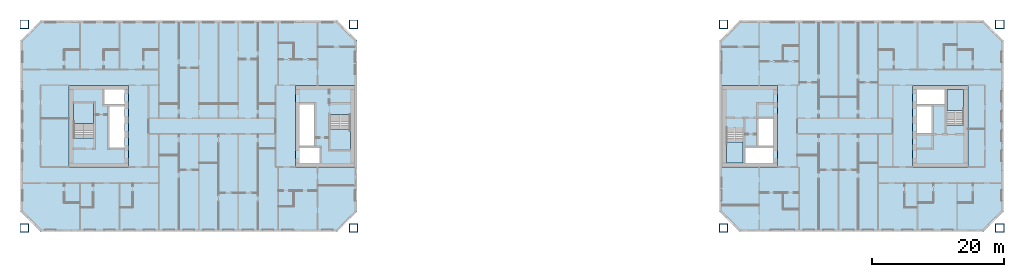
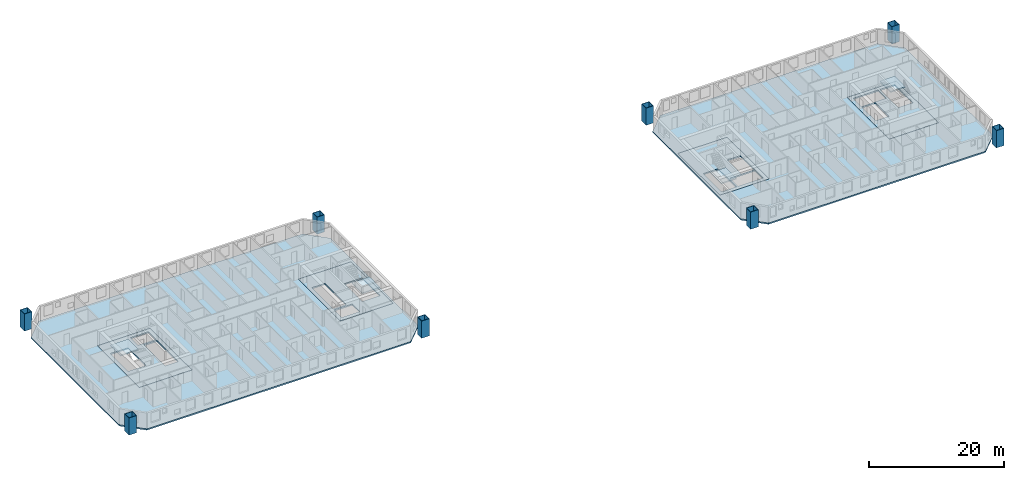
# One storey, part 1 of 17: 10 slabs, 8 columns, 4 elements without a shape of their own.
"""IFC4 building model written with IfcOpenShell, lengths in metres."""

from ifc_helpers import new_model, si_unit, direction, frame, origin, origin_2d, place, context, subcontext, project, spatial, polyline, hollow_rectangle, outline, extrude, material, layer, layer_set, material_profile, profile_set, type_object, element, aggregate, save


model = new_model("IFC4")

# Units and contexts
model_context = context("Model", 3, precision=1e-05, world=origin(), true_north=direction((0.0, 1.0)))
body_context = subcontext(model_context, "Body", "Model", "MODEL_VIEW")
ifc_project = project(units=[si_unit("LENGTHUNIT", "METRE"), si_unit("AREAUNIT", "SQUARE_METRE"), si_unit("VOLUMEUNIT", "CUBIC_METRE"), si_unit("PLANEANGLEUNIT", "RADIAN"), si_unit("MASSUNIT", "GRAM", prefix="KILO")], contexts=[model_context])

# Site, building, storey
site_placement = place(None, origin())
site = spatial("IfcSite", under=ifc_project, at=site_placement, CompositionType="ELEMENT")
building_placement = place(site_placement, origin())
building = spatial("IfcBuilding", under=site, at=building_placement, Name="Tuart Gate Housing", CompositionType="ELEMENT")
storey_placement = place(building_placement, frame((0.0, 0.0, 99.5)))
storey = spatial("IfcBuildingStorey", under=building, at=storey_placement, Name="L27", CompositionType="ELEMENT", Elevation=99.5)

# Columns
ifc_material_1 = material(Name="Steel Grade 350", Category="steel")
ifc_material_profile = material_profile(ifc_material_1, hollow_rectangle(XDim=1.300048828125, YDim=1.300048828125, WallThickness=0.070068359375, at=origin_2d()), Name="BOX 1300x1300x70")
ifc_profile_set = profile_set([ifc_material_profile], Name="Steel Grade 350")
column_type = type_object("IfcColumnType", Name="Mega column BOX 1300x1300x70", PredefinedType="COLUMN", material=ifc_profile_set)
for number, where, z_axis, x_axis, name in (
    (1, (25.550048828125, 54.550048828125, 0.0), (0.0, 0.0, 1.0), (1.0, 0.0, 0.0), "Mega column A south-west L27"),
    (2, (75.449951171875, 54.550048828125, 0.0), (0.0, 0.0, 1.0), (1.0, 0.0, 0.0), "Mega column A south-east L27"),
    (3, (75.449951171875, 85.449951171875, 0.0), (0.0, 0.0, 1.0), (1.0, 0.0, 0.0), "Mega column A north-east L27"),
    (4, (25.550048828125, 85.449951171875, 0.0), (0.0, 0.0, 1.0), (1.0, 0.0, 0.0), "Mega column A north-west L27"),
    (5, (131.550048828125, 54.550048828125, 0.0), (0.0, 0.0, 1.0), (1.0, 0.0, 0.0), "Mega column B south-west L27"),
    (6, (173.449951171875, 54.550048828125, 0.0), (0.0, 0.0, 1.0), (1.0, 0.0, 0.0), "Mega column B south-east L27"),
    (7, (173.449951171875, 85.449951171875, 0.0), (0.0, 0.0, 1.0), (1.0, 0.0, 0.0), "Mega column B north-east L27"),
    (8, (131.550048828125, 85.449951171875, 0.0), (0.0, 0.0, 1.0), (1.0, 0.0, 0.0), "Mega column B north-west L27"),
):
    element("IfcColumn", number, at=place(storey_placement, frame(where, z_axis=z_axis, x_axis=x_axis)), inside=storey, type_object=column_type, Name=name, PredefinedType="COLUMN", context=body_context, shape_type="SweptSolid", body=[
        extrude(hollow_rectangle(XDim=1.300048828125, YDim=1.300048828125, WallThickness=0.070068359375, at=origin_2d()), origin(), (0.0, 0.0, 1.0), 3.10009765625),
    ])

# Slabs
ifc_material_2 = material(Name="Concrete C40", Category="concrete")
ifc_layer_1 = layer(ifc_material_2, 0.25)
ifc_layer_set_1 = layer_set([ifc_layer_1], Name="Core floor slab 250")
slab_type_1 = type_object("IfcSlabType", Name="Core floor slab 250", PredefinedType="FLOOR", material=ifc_layer_set_1)
slab_1_placement = place(storey_placement, frame((0.0, 0.0, -0.25)))
element("IfcSlab", 9, at=slab_1_placement, inside=storey, type_object=slab_type_1, Name="Core floor AG", PredefinedType="FLOOR", context=body_context, shape_type="SweptSolid", body=[
    extrude(outline(polyline([(66.639892578125, 63.800048828125), (75.639892578125, 63.800048828125), (75.639892578125, 76.199951171875), (66.639892578125, 76.199951171875), (66.639892578125, 63.800048828125)]), holes=[polyline([(67.2900390625, 64.449951171875), (70.360107421875, 64.449951171875), (70.360107421875, 66.699951171875), (67.2900390625, 66.699951171875), (67.2900390625, 64.449951171875)]), polyline([(67.2900390625, 67.0), (69.5400390625, 67.0), (69.5400390625, 73.300048828125), (67.2900390625, 73.300048828125), (67.2900390625, 67.0)]), polyline([(71.93994140625, 66.5), (74.989990234375, 66.5), (74.989990234375, 71.780029296875), (71.93994140625, 71.780029296875), (71.93994140625, 66.5)])]), origin(), (0.0, 0.0, 1.0), 0.25),
])
slab_2_placement = place(storey_placement, frame((0.0, 0.0, -0.25)))
element("IfcSlab", 10, at=slab_2_placement, inside=storey, type_object=slab_type_1, Name="Core floor AK", PredefinedType="FLOOR", context=body_context, shape_type="SweptSolid", body=[
    extrude(outline(polyline([(32.360107421875, 63.800048828125), (41.360107421875, 63.800048828125), (41.360107421875, 76.199951171875), (32.360107421875, 76.199951171875), (32.360107421875, 63.800048828125)]), holes=[polyline([(40.7099609375, 75.550048828125), (37.639892578125, 75.550048828125), (37.639892578125, 73.300048828125), (40.7099609375, 73.300048828125), (40.7099609375, 75.550048828125)]), polyline([(40.7099609375, 73.0), (38.4599609375, 73.0), (38.4599609375, 66.699951171875), (40.7099609375, 66.699951171875), (40.7099609375, 73.0)]), polyline([(36.06005859375, 73.5), (33.010009765625, 73.5), (33.010009765625, 68.219970703125), (36.06005859375, 68.219970703125), (36.06005859375, 73.5)])]), origin(), (0.0, 0.0, 1.0), 0.25),
])
slab_3_placement = place(storey_placement, frame((0.0, 0.0, -0.25)))
element("IfcSlab", 11, at=slab_3_placement, inside=storey, type_object=slab_type_1, Name="Core floor BG", PredefinedType="FLOOR", context=body_context, shape_type="SweptSolid", body=[
    extrude(outline(polyline([(131.360107421875, 63.800048828125), (139.760009765625, 63.800048828125), (139.760009765625, 76.199951171875), (131.360107421875, 76.199951171875), (131.360107421875, 63.800048828125)]), holes=[polyline([(139.110107421875, 66.85009765625), (134.860107421875, 66.85009765625), (134.860107421875, 64.449951171875), (139.110107421875, 64.449951171875), (139.110107421875, 66.85009765625)]), polyline([(139.110107421875, 71.10009765625), (136.860107421875, 71.10009765625), (136.860107421875, 67.0), (139.110107421875, 67.0), (139.110107421875, 71.10009765625)]), polyline([(134.56005859375, 69.830078125), (132.010009765625, 69.830078125), (132.010009765625, 64.449951171875), (134.56005859375, 64.449951171875), (134.56005859375, 69.830078125)])]), origin(), (0.0, 0.0, 1.0), 0.25),
])
slab_4_placement = place(storey_placement, frame((0.0, 0.0, -0.25)))
element("IfcSlab", 12, at=slab_4_placement, inside=storey, type_object=slab_type_1, Name="Core floor BK", PredefinedType="FLOOR", context=body_context, shape_type="SweptSolid", body=[
    extrude(outline(polyline([(160.239990234375, 63.800048828125), (168.639892578125, 63.800048828125), (168.639892578125, 76.199951171875), (160.239990234375, 76.199951171875), (160.239990234375, 63.800048828125)]), holes=[polyline([(160.889892578125, 73.14990234375), (165.139892578125, 73.14990234375), (165.139892578125, 75.550048828125), (160.889892578125, 75.550048828125), (160.889892578125, 73.14990234375)]), polyline([(160.889892578125, 68.89990234375), (163.139892578125, 68.89990234375), (163.139892578125, 73.0), (160.889892578125, 73.0), (160.889892578125, 68.89990234375)]), polyline([(165.43994140625, 70.169921875), (167.989990234375, 70.169921875), (167.989990234375, 75.550048828125), (165.43994140625, 75.550048828125), (165.43994140625, 70.169921875)])]), origin(), (0.0, 0.0, 1.0), 0.25),
])
ifc_material_3 = material(Name="Concrete C40", Category="concrete")
ifc_layer_2 = layer(ifc_material_3, 0.25)
ifc_layer_set_2 = layer_set([ifc_layer_2], Name="Flat plate 250")
slab_type_2 = type_object("IfcSlabType", Name="Flat plate 250", PredefinedType="FLOOR", material=ifc_layer_set_2)
slab_5_placement = place(storey_placement, frame((0.0, 0.0, -0.25)))
element("IfcSlab", 13, at=slab_5_placement, inside=storey, type_object=slab_type_2, Name="Floor slab A L27", PredefinedType="FLOOR", context=body_context, shape_type="SweptSolid", body=[
    extrude(outline(polyline([(28.0, 86.0), (25.0, 83.0), (25.0, 57.0), (28.0, 54.0), (73.0, 54.0), (76.0, 57.0), (76.0, 83.0), (73.0, 86.0), (28.0, 86.0)]), holes=[polyline([(66.639892578125, 76.199951171875), (75.639892578125, 76.199951171875), (75.639892578125, 63.800048828125), (66.639892578125, 63.800048828125), (66.639892578125, 76.199951171875)]), polyline([(41.360107421875, 76.199951171875), (41.360107421875, 63.800048828125), (32.360107421875, 63.800048828125), (32.360107421875, 76.199951171875), (41.360107421875, 76.199951171875)])]), origin(), (0.0, 0.0, 1.0), 0.25),
])
slab_6_placement = place(storey_placement, frame((0.0, 0.0, -0.25)))
element("IfcSlab", 14, at=slab_6_placement, inside=storey, type_object=slab_type_2, Name="Floor slab B L27", PredefinedType="FLOOR", context=body_context, shape_type="SweptSolid", body=[
    extrude(outline(polyline([(134.0, 86.0), (131.0, 83.0), (131.0, 57.0), (134.0, 54.0), (171.0, 54.0), (174.0, 57.0), (174.0, 83.0), (171.0, 86.0), (134.0, 86.0)]), holes=[polyline([(131.360107421875, 76.199951171875), (139.760009765625, 76.199951171875), (139.760009765625, 63.800048828125), (131.360107421875, 63.800048828125), (131.360107421875, 76.199951171875)]), polyline([(168.639892578125, 76.199951171875), (168.639892578125, 63.800048828125), (160.239990234375, 63.800048828125), (160.239990234375, 76.199951171875), (168.639892578125, 76.199951171875)])]), origin(), (0.0, 0.0, 1.0), 0.25),
])

# Stair, slab
ifc_material_4 = material(Name="Concrete C40", Category="concrete")
stair_type_1 = type_object("IfcStairType", Name="Core stair 1500", PredefinedType="HALF_TURN_STAIR", material=ifc_material_4)
stair_1_placement = place(storey_placement, origin())
stair_1 = element("IfcStair", 15, at=stair_1_placement, inside=storey, type_object=stair_type_1, Name="Stair SA1", PredefinedType="HALF_TURN_STAIR")
ifc_material_5 = material(Name="Concrete C40", Category="concrete")
ifc_layer_3 = layer(ifc_material_5, 0.199951171875)
ifc_layer_set_3 = layer_set([ifc_layer_3], Name="Stair landing 200")
slab_type_3 = type_object("IfcSlabType", Name="Stair landing 200", PredefinedType="LANDING", material=ifc_layer_set_3)
slab_7_placement = place(storey_placement, frame((0.0, 0.0, 1.35009765625)))
slab_7 = element("IfcSlab", 16, at=slab_7_placement, type_object=slab_type_3, Name="SA1 landing 1", PredefinedType="LANDING", context=body_context, shape_type="SweptSolid", body=[
    extrude(outline(polyline([(71.93994140625, 66.5), (74.989990234375, 66.5), (74.989990234375, 69.56005859375), (71.93994140625, 69.56005859375), (71.93994140625, 66.5)])), origin(), (0.0, 0.0, 1.0), 0.199951171875),
])
aggregate(stair_1, [slab_7])

stair_2_placement = place(storey_placement, origin())
stair_2 = element("IfcStair", 17, at=stair_2_placement, inside=storey, type_object=stair_type_1, Name="Stair SA2", PredefinedType="HALF_TURN_STAIR")
slab_8_placement = place(storey_placement, frame((0.0, 0.0, 1.35009765625)))
slab_8 = element("IfcSlab", 18, at=slab_8_placement, type_object=slab_type_3, Name="SA2 landing 1", PredefinedType="LANDING", context=body_context, shape_type="SweptSolid", body=[
    extrude(outline(polyline([(36.06005859375, 73.5), (33.010009765625, 73.5), (33.010009765625, 70.43994140625), (36.06005859375, 70.43994140625), (36.06005859375, 73.5)])), origin(), (0.0, 0.0, 1.0), 0.199951171875),
])
aggregate(stair_2, [slab_8])

ifc_material_6 = material(Name="Concrete C40", Category="concrete")
stair_type_2 = type_object("IfcStairType", Name="Core stair 1250", PredefinedType="HALF_TURN_STAIR", material=ifc_material_6)
stair_3_placement = place(storey_placement, origin())
stair_3 = element("IfcStair", 19, at=stair_3_placement, inside=storey, type_object=stair_type_2, Name="Stair SB1", PredefinedType="HALF_TURN_STAIR")
slab_9_placement = place(storey_placement, frame((0.0, 0.0, 1.35009765625)))
slab_9 = element("IfcSlab", 20, at=slab_9_placement, type_object=slab_type_3, Name="SB1 landing 1", PredefinedType="LANDING", context=body_context, shape_type="SweptSolid", body=[
    extrude(outline(polyline([(134.56005859375, 67.610107421875), (132.010009765625, 67.610107421875), (132.010009765625, 64.449951171875), (134.56005859375, 64.449951171875), (134.56005859375, 67.610107421875)])), origin(), (0.0, 0.0, 1.0), 0.199951171875),
])
aggregate(stair_3, [slab_9])

stair_4_placement = place(storey_placement, origin())
stair_4 = element("IfcStair", 21, at=stair_4_placement, inside=storey, type_object=stair_type_2, Name="Stair SB2", PredefinedType="HALF_TURN_STAIR")
slab_10_placement = place(storey_placement, frame((0.0, 0.0, 1.35009765625)))
slab_10 = element("IfcSlab", 22, at=slab_10_placement, type_object=slab_type_3, Name="SB2 landing 1", PredefinedType="LANDING", context=body_context, shape_type="SweptSolid", body=[
    extrude(outline(polyline([(165.43994140625, 72.389892578125), (167.989990234375, 72.389892578125), (167.989990234375, 75.550048828125), (165.43994140625, 75.550048828125), (165.43994140625, 72.389892578125)])), origin(), (0.0, 0.0, 1.0), 0.199951171875),
])
aggregate(stair_4, [slab_10])

save(model, "model.ifc")
